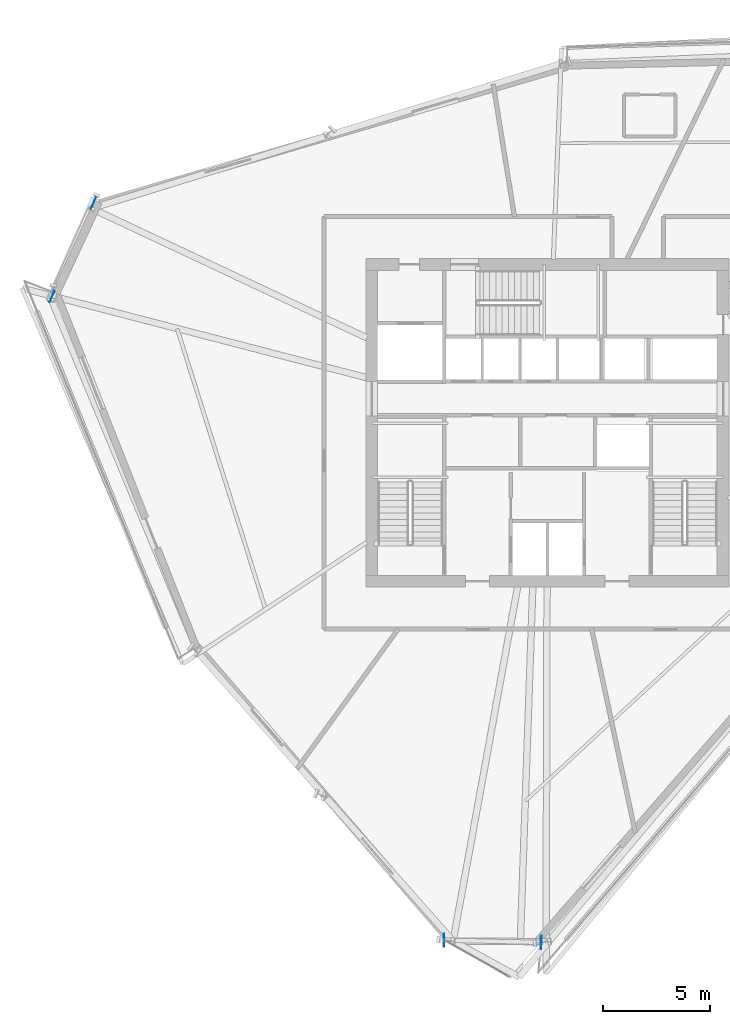
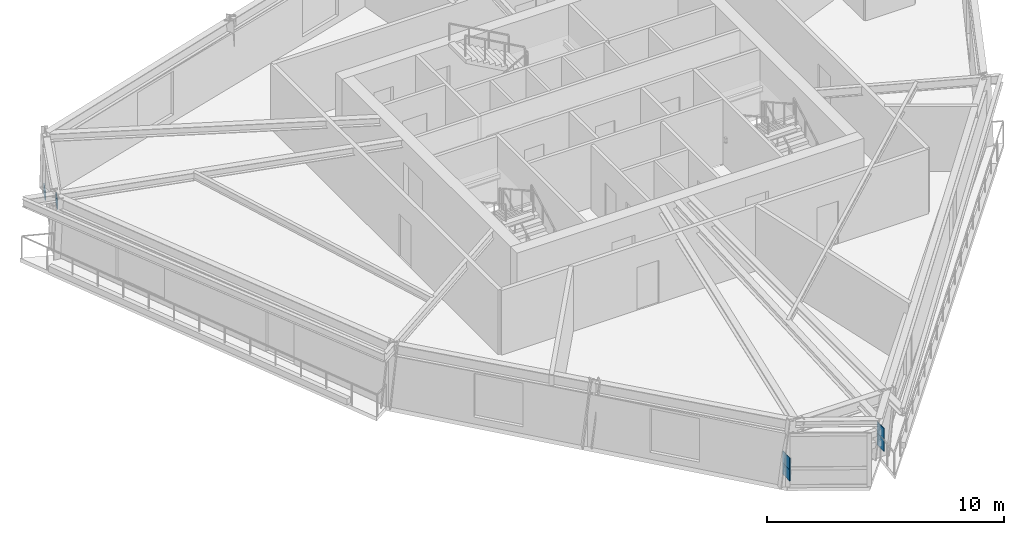
# One storey, part 5 of 13: 6 plates.
"""IFC4 building model written with IfcOpenShell, lengths in metres."""

from ifc_helpers import new_model, si_unit, direction, frame, origin, origin_2d, place, context, subcontext, project, spatial, rectangle, extrude, source, transform, mapped, material, type_object, element, save


model = new_model("IFC4")

# Units and contexts
model_context = context("Model", 3, precision=1e-05, world=origin(), true_north=direction((0.0, 1.0)))
body_context = subcontext(model_context, "Body", "Model", "MODEL_VIEW")
ifc_project = project(units=[si_unit("LENGTHUNIT", "METRE"), si_unit("AREAUNIT", "SQUARE_METRE"), si_unit("VOLUMEUNIT", "CUBIC_METRE"), si_unit("PLANEANGLEUNIT", "RADIAN"), si_unit("MASSUNIT", "GRAM", prefix="KILO")], contexts=[model_context])

# Site, building, storey
site_placement = place(None, origin())
site = spatial("IfcSite", under=ifc_project, at=site_placement, CompositionType="ELEMENT")
building_placement = place(site_placement, origin())
building = spatial("IfcBuilding", under=site, at=building_placement, Name="Olszyna Solenne Hotel", CompositionType="ELEMENT")
storey_placement = place(building_placement, frame((0.0, 0.0, 167.89990234375)))
storey = spatial("IfcBuildingStorey", under=building, at=storey_placement, Name="L44", CompositionType="ELEMENT", Elevation=167.89990234375)

# Plates
ifc_material_1 = material(Name="Steel S460M", Category="steel")
plate_type_1 = type_object("IfcPlateType", Name="GP-CAP2", PredefinedType="USERDEFINED", material=ifc_material_1)
shared_shape_1 = source(origin(), body_context, "Body", "SweptSolid", [
    extrude(rectangle(XDim=0.030029296875, YDim=0.6201171875, at=origin_2d()), origin(), (0.0, 0.0, 1.0), 0.6201171875),
])
for number, where, z_axis, x_axis, name in (
    (1, (33.18310546875, 2.521728515625, 1.0400390625), (0.0, 0.0, 1.0), (0.999742609323, -0.022687333573, 0.0), "Hollow section end-cap plate GP-CAP2 CP-PR-M-L44-PR1-1"),
    (2, (37.70751953125, 2.419189453125, 1.0400390625), (0.0, 0.0, 1.0), (0.999742609323, -0.022687333573, 0.0), "Hollow section end-cap plate GP-CAP2 CP-PR-M-L44-PR1-2"),
    (3, (33.18310546875, 2.521728515625, 0.469970703125), (0.0, 0.0, 1.0), (0.999742609323, -0.022687333573, 0.0), "Hollow section end-cap plate GP-CAP2 CP-PR-M-L44-PR2-1"),
    (4, (37.70751953125, 2.419189453125, 0.469970703125), (0.0, 0.0, 1.0), (0.999742609323, -0.022687333573, 0.0), "Hollow section end-cap plate GP-CAP2 CP-PR-M-L44-PR2-2"),
):
    element("IfcPlate", number, at=place(storey_placement, frame(where, z_axis=z_axis, x_axis=x_axis)), inside=storey, type_object=plate_type_1, Name=name, ObjectType="GUSSET_PLATE", PredefinedType="USERDEFINED", context=body_context, shape_type="MappedRepresentation", body=[
        mapped(shared_shape_1, transform((0.0, 0.0, 0.0), x_axis=(1.0, 0.0, 0.0), y_axis=(0.0, 1.0, 0.0), z_axis=(0.0, 0.0, 1.0), scale=1.0)),
    ])
ifc_material_2 = material(Name="Steel S355J2", Category="steel")
plate_type_2 = type_object("IfcPlateType", Name="GP-ND2", PredefinedType="USERDEFINED", material=ifc_material_2)
shared_shape_2 = source(origin(), body_context, "Body", "SweptSolid", [
    extrude(rectangle(XDim=0.56005859375, YDim=0.02001953125, at=origin_2d()), origin(), (0.0, 0.0, 1.0), 0.47998046875),
])
for number, where, z_axis, x_axis, name in (
    (5, (16.87158203125, 36.833251953125, -0.158203125), (0.0, 0.0, 1.0), (-0.404343595529, -0.914607159799, 0.0), "Brace end connection gusset plate GP-ND2 EP-BR-L44-2-1"),
    (6, (14.9453125, 32.47607421875, 2.688232421875), (0.0, 0.0, 1.0), (-0.404343595529, -0.914607159799, 0.0), "Brace end connection gusset plate GP-ND2 EP-BR-L44-2-2"),
):
    element("IfcPlate", number, at=place(storey_placement, frame(where, z_axis=z_axis, x_axis=x_axis)), inside=storey, type_object=plate_type_2, Name=name, ObjectType="GUSSET_PLATE", PredefinedType="USERDEFINED", context=body_context, shape_type="MappedRepresentation", body=[
        mapped(shared_shape_2, transform((0.0, 0.0, 0.0), x_axis=(1.0, 0.0, 0.0), y_axis=(0.0, 1.0, 0.0), z_axis=(0.0, 0.0, 1.0), scale=1.0)),
    ])

save(model, "model.ifc")
